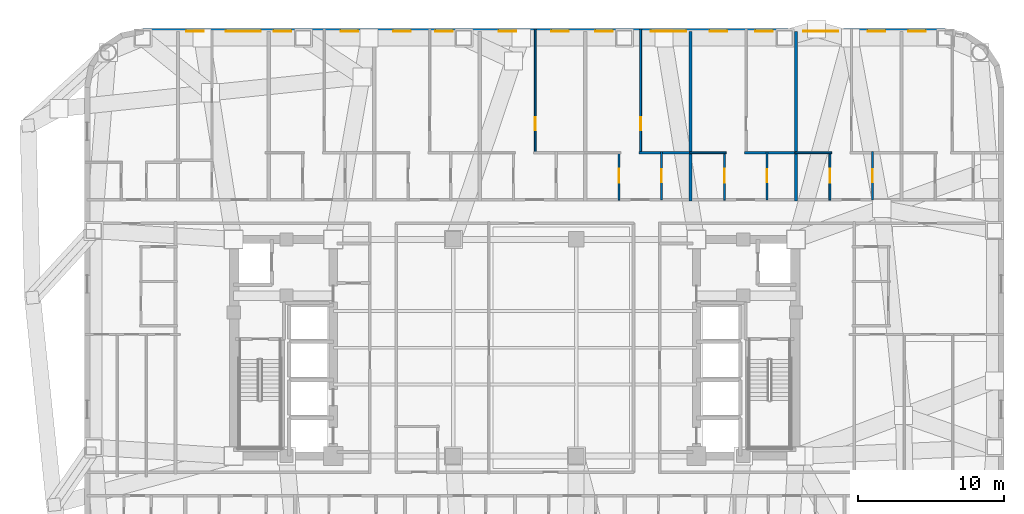
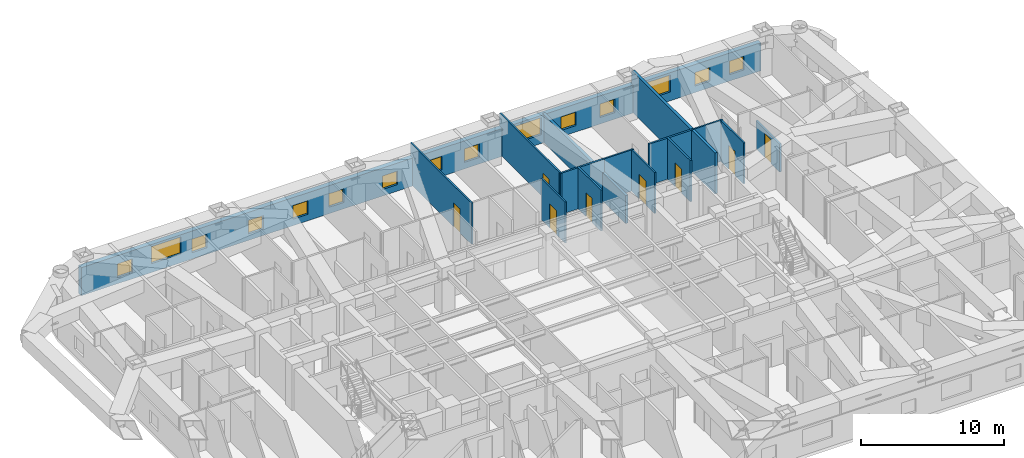
# One storey, part 10 of 14: 15 walls, 15 windows, 8 doors, 23 openings.
"""IFC4 building model written with IfcOpenShell, lengths in metres."""

from ifc_helpers import new_model, si_unit, direction, frame, frame_2d, origin, place, context, subcontext, project, spatial, rectangle, extrude, material, layer, layer_set, type_object, element, fill, save


model = new_model("IFC4")

# Units and contexts
model_context = context("Model", 3, precision=1e-05, world=origin(), true_north=direction((0.0, 1.0)))
body_context = subcontext(model_context, "Body", "Model", "MODEL_VIEW")
ifc_project = project(units=[si_unit("LENGTHUNIT", "METRE"), si_unit("AREAUNIT", "SQUARE_METRE"), si_unit("VOLUMEUNIT", "CUBIC_METRE"), si_unit("PLANEANGLEUNIT", "RADIAN"), si_unit("MASSUNIT", "GRAM", prefix="KILO")], contexts=[model_context])

# Site, building, storey
site_placement = place(None, origin())
site = spatial("IfcSite", under=ifc_project, at=site_placement, CompositionType="ELEMENT")
building_placement = place(site_placement, origin())
building = spatial("IfcBuilding", under=site, at=building_placement, Name="Voryun Gate Residences", CompositionType="ELEMENT")
storey_placement = place(building_placement, frame((0.0, 0.0, 136.5)))
storey = spatial("IfcBuildingStorey", under=building, at=storey_placement, Name="L33", CompositionType="ELEMENT", Elevation=136.5)

# Wall, openings, windows
ifc_material_1 = material(Name="Granite masonry", Category="masonry")
ifc_layer_1 = layer(ifc_material_1, 0.3798828125, Name="W_EXT_GRANITE_380")
ifc_layer_set_1 = layer_set([ifc_layer_1], Name="Granite masonry")
wall_type_1 = type_object("IfcWallType", Name="W_EXT_GRANITE_380", PredefinedType="ELEMENTEDWALL", material=ifc_layer_set_1)
wall_1_placement = place(storey_placement, frame((-25.38134765625, 21.610107421875, 0.0), z_axis=(0.0, 0.0, 1.0), x_axis=(1.0, 0.0, 0.0)))
wall_1 = element("IfcWall", 1, at=wall_1_placement, inside=storey, type_object=wall_type_1, Name="Exterior wall WEXT-L33-11", PredefinedType="ELEMENTEDWALL", context=body_context, shape_type="SweptSolid", body=[
    extrude(rectangle(XDim=54.7626953125, YDim=0.3798828125, at=frame_2d((27.38134765625, 0.0))), origin(), (0.0, 0.0, 1.0), 2.389892578125),
])
opening_1_placement = place(wall_1_placement, frame((5.645263671875, 0.0, 0.75)))
opening_1 = element("IfcOpeningElement", 2, at=opening_1_placement, cuts=wall_1, Name="Opening WN2", PredefinedType="OPENING", context=body_context, shape_type="SweptSolid", body=[
    extrude(rectangle(XDim=2.39990234375, YDim=1.449951171875, at=frame_2d((1.199951171875, 0.72509765625))), frame((0.0, 0.199951171875, 0.0), z_axis=(0.0, -1.0, 0.0), x_axis=(1.0, 0.0, 0.0)), (0.0, 0.0, 1.0), 0.39990234375),
])
opening_2_placement = place(wall_1_placement, frame((34.676513671875, 0.0, 0.75)))
opening_2 = element("IfcOpeningElement", 3, at=opening_2_placement, cuts=wall_1, Name="Opening WN2", PredefinedType="OPENING", context=body_context, shape_type="SweptSolid", body=[
    extrude(rectangle(XDim=2.39990234375, YDim=1.449951171875, at=frame_2d((1.199951171875, 0.72509765625))), frame((0.0, 0.199951171875, 0.0), z_axis=(0.0, -1.0, 0.0), x_axis=(1.0, 0.0, 0.0)), (0.0, 0.0, 1.0), 0.39990234375),
])
opening_3_placement = place(wall_1_placement, frame((45.0673828125, 0.0, 0.75)))
opening_3 = element("IfcOpeningElement", 4, at=opening_3_placement, cuts=wall_1, Name="Opening WN2", PredefinedType="OPENING", context=body_context, shape_type="SweptSolid", body=[
    extrude(rectangle(XDim=2.39990234375, YDim=1.449951171875, at=frame_2d((1.199951171875, 0.72509765625))), frame((0.0, 0.199951171875, 0.0), z_axis=(0.0, -1.0, 0.0), x_axis=(1.0, 0.0, 0.0)), (0.0, 0.0, 1.0), 0.39990234375),
])
opening_4_placement = place(wall_1_placement, frame((2.937744140625, 0.0, 0.550048828125)))
opening_4 = element("IfcOpeningElement", 5, at=opening_4_placement, cuts=wall_1, Name="Opening WN6", PredefinedType="OPENING", context=body_context, shape_type="SweptSolid", body=[
    extrude(rectangle(XDim=1.199951171875, YDim=1.14990234375, at=frame_2d((0.60009765625, 0.574951171875))), frame((0.0, 0.199951171875, 0.0), z_axis=(0.0, -1.0, 0.0), x_axis=(1.0, 0.0, 0.0)), (0.0, 0.0, 1.0), 0.39990234375),
])
opening_5_placement = place(wall_1_placement, frame((8.916259765625, 0.0, 0.550048828125)))
opening_5 = element("IfcOpeningElement", 6, at=opening_5_placement, cuts=wall_1, Name="Opening WN6", PredefinedType="OPENING", context=body_context, shape_type="SweptSolid", body=[
    extrude(rectangle(XDim=1.199951171875, YDim=1.14990234375, at=frame_2d((0.60009765625, 0.574951171875))), frame((0.0, 0.199951171875, 0.0), z_axis=(0.0, -1.0, 0.0), x_axis=(1.0, 0.0, 0.0)), (0.0, 0.0, 1.0), 0.39990234375),
])
opening_6_placement = place(wall_1_placement, frame((13.476318359375, 0.0, 0.550048828125)))
opening_6 = element("IfcOpeningElement", 7, at=opening_6_placement, cuts=wall_1, Name="Opening WN6", PredefinedType="OPENING", context=body_context, shape_type="SweptSolid", body=[
    extrude(rectangle(XDim=1.199951171875, YDim=1.14990234375, at=frame_2d((0.60009765625, 0.574951171875))), frame((0.0, 0.199951171875, 0.0), z_axis=(0.0, -1.0, 0.0), x_axis=(1.0, 0.0, 0.0)), (0.0, 0.0, 1.0), 0.39990234375),
])
opening_7_placement = place(wall_1_placement, frame((17.076416015625, 0.0, 0.550048828125)))
opening_7 = element("IfcOpeningElement", 8, at=opening_7_placement, cuts=wall_1, Name="Opening WN6", PredefinedType="OPENING", context=body_context, shape_type="SweptSolid", body=[
    extrude(rectangle(XDim=1.199951171875, YDim=1.14990234375, at=frame_2d((0.60009765625, 0.574951171875))), frame((0.0, 0.199951171875, 0.0), z_axis=(0.0, -1.0, 0.0), x_axis=(1.0, 0.0, 0.0)), (0.0, 0.0, 1.0), 0.39990234375),
])
opening_8_placement = place(wall_1_placement, frame((19.956298828125, 0.0, 0.550048828125)))
opening_8 = element("IfcOpeningElement", 9, at=opening_8_placement, cuts=wall_1, Name="Opening WN6", PredefinedType="OPENING", context=body_context, shape_type="SweptSolid", body=[
    extrude(rectangle(XDim=1.199951171875, YDim=1.14990234375, at=frame_2d((0.60009765625, 0.574951171875))), frame((0.0, 0.199951171875, 0.0), z_axis=(0.0, -1.0, 0.0), x_axis=(1.0, 0.0, 0.0)), (0.0, 0.0, 1.0), 0.39990234375),
])
opening_9_placement = place(wall_1_placement, frame((24.2763671875, 0.0, 0.550048828125)))
opening_9 = element("IfcOpeningElement", 10, at=opening_9_placement, cuts=wall_1, Name="Opening WN6", PredefinedType="OPENING", context=body_context, shape_type="SweptSolid", body=[
    extrude(rectangle(XDim=1.199951171875, YDim=1.14990234375, at=frame_2d((0.60009765625, 0.574951171875))), frame((0.0, 0.199951171875, 0.0), z_axis=(0.0, -1.0, 0.0), x_axis=(1.0, 0.0, 0.0)), (0.0, 0.0, 1.0), 0.39990234375),
])
opening_10_placement = place(wall_1_placement, frame((27.876220703125, 0.0, 0.550048828125)))
opening_10 = element("IfcOpeningElement", 11, at=opening_10_placement, cuts=wall_1, Name="Opening WN6", PredefinedType="OPENING", context=body_context, shape_type="SweptSolid", body=[
    extrude(rectangle(XDim=1.199951171875, YDim=1.14990234375, at=frame_2d((0.60009765625, 0.574951171875))), frame((0.0, 0.199951171875, 0.0), z_axis=(0.0, -1.0, 0.0), x_axis=(1.0, 0.0, 0.0)), (0.0, 0.0, 1.0), 0.39990234375),
])
opening_11_placement = place(wall_1_placement, frame((30.876220703125, 0.0, 0.550048828125)))
opening_11 = element("IfcOpeningElement", 12, at=opening_11_placement, cuts=wall_1, Name="Opening WN6", PredefinedType="OPENING", context=body_context, shape_type="SweptSolid", body=[
    extrude(rectangle(XDim=1.199951171875, YDim=1.14990234375, at=frame_2d((0.60009765625, 0.574951171875))), frame((0.0, 0.199951171875, 0.0), z_axis=(0.0, -1.0, 0.0), x_axis=(1.0, 0.0, 0.0)), (0.0, 0.0, 1.0), 0.39990234375),
])
opening_12_placement = place(wall_1_placement, frame((38.67626953125, 0.0, 0.550048828125)))
opening_12 = element("IfcOpeningElement", 13, at=opening_12_placement, cuts=wall_1, Name="Opening WN6", PredefinedType="OPENING", context=body_context, shape_type="SweptSolid", body=[
    extrude(rectangle(XDim=1.199951171875, YDim=1.14990234375, at=frame_2d((0.60009765625, 0.574951171875))), frame((0.0, 0.199951171875, 0.0), z_axis=(0.0, -1.0, 0.0), x_axis=(1.0, 0.0, 0.0)), (0.0, 0.0, 1.0), 0.39990234375),
])
opening_13_placement = place(wall_1_placement, frame((41.79638671875, 0.0, 0.550048828125)))
opening_13 = element("IfcOpeningElement", 14, at=opening_13_placement, cuts=wall_1, Name="Opening WN6", PredefinedType="OPENING", context=body_context, shape_type="SweptSolid", body=[
    extrude(rectangle(XDim=1.199951171875, YDim=1.14990234375, at=frame_2d((0.60009765625, 0.574951171875))), frame((0.0, 0.199951171875, 0.0), z_axis=(0.0, -1.0, 0.0), x_axis=(1.0, 0.0, 0.0)), (0.0, 0.0, 1.0), 0.39990234375),
])
opening_14_placement = place(wall_1_placement, frame((49.476318359375, 0.0, 0.550048828125)))
opening_14 = element("IfcOpeningElement", 15, at=opening_14_placement, cuts=wall_1, Name="Opening WN6", PredefinedType="OPENING", context=body_context, shape_type="SweptSolid", body=[
    extrude(rectangle(XDim=1.199951171875, YDim=1.14990234375, at=frame_2d((0.60009765625, 0.574951171875))), frame((0.0, 0.199951171875, 0.0), z_axis=(0.0, -1.0, 0.0), x_axis=(1.0, 0.0, 0.0)), (0.0, 0.0, 1.0), 0.39990234375),
])
opening_15_placement = place(wall_1_placement, frame((52.226806640625, 0.0, 0.550048828125)))
opening_15 = element("IfcOpeningElement", 16, at=opening_15_placement, cuts=wall_1, Name="Opening WN6", PredefinedType="OPENING", context=body_context, shape_type="SweptSolid", body=[
    extrude(rectangle(XDim=1.199951171875, YDim=1.14990234375, at=frame_2d((0.60009765625, 0.574951171875))), frame((0.0, 0.199951171875, 0.0), z_axis=(0.0, -1.0, 0.0), x_axis=(1.0, 0.0, 0.0)), (0.0, 0.0, 1.0), 0.39990234375),
])
ifc_material_2 = material(Name="Laminated low-E glass", Category="glass")
window_type_1 = type_object("IfcWindowType", Name="WN_POD_SLOT_1200", PartitioningType="SINGLE_PANEL", PredefinedType="WINDOW", material=ifc_material_2)
window_1_placement = place(opening_4_placement, origin())
window_1 = element("IfcWindow", 17, at=window_1_placement, inside=storey, type_object=window_type_1, Name="Window WN-L33-DWFIX-02", OverallHeight=1.14990234375, OverallWidth=1.199951171875, PartitioningType="SINGLE_PANEL", PredefinedType="WINDOW", context=body_context, shape_type="SweptSolid", body=[
    extrude(rectangle(XDim=1.199951171875, YDim=1.14990234375, at=frame_2d((0.60009765625, 0.574951171875))), frame((0.0, 0.030029296875, 0.0), z_axis=(0.0, -1.0, 0.0), x_axis=(1.0, 0.0, 0.0)), (0.0, 0.0, 1.0), 0.06005859375),
])
fill(opening_4, window_1)
window_2_placement = place(opening_5_placement, origin())
window_2 = element("IfcWindow", 18, at=window_2_placement, inside=storey, type_object=window_type_1, Name="Window WN-L33-DWFIX-03", OverallHeight=1.14990234375, OverallWidth=1.199951171875, PartitioningType="SINGLE_PANEL", PredefinedType="WINDOW", context=body_context, shape_type="SweptSolid", body=[
    extrude(rectangle(XDim=1.199951171875, YDim=1.14990234375, at=frame_2d((0.60009765625, 0.574951171875))), frame((0.0, 0.030029296875, 0.0), z_axis=(0.0, -1.0, 0.0), x_axis=(1.0, 0.0, 0.0)), (0.0, 0.0, 1.0), 0.06005859375),
])
fill(opening_5, window_2)
window_3_placement = place(opening_6_placement, origin())
window_3 = element("IfcWindow", 19, at=window_3_placement, inside=storey, type_object=window_type_1, Name="Window WN-L33-DWFIX-04", OverallHeight=1.14990234375, OverallWidth=1.199951171875, PartitioningType="SINGLE_PANEL", PredefinedType="WINDOW", context=body_context, shape_type="SweptSolid", body=[
    extrude(rectangle(XDim=1.199951171875, YDim=1.14990234375, at=frame_2d((0.60009765625, 0.574951171875))), frame((0.0, 0.030029296875, 0.0), z_axis=(0.0, -1.0, 0.0), x_axis=(1.0, 0.0, 0.0)), (0.0, 0.0, 1.0), 0.06005859375),
])
fill(opening_6, window_3)
window_4_placement = place(opening_7_placement, origin())
window_4 = element("IfcWindow", 20, at=window_4_placement, inside=storey, type_object=window_type_1, Name="Window WN-L33-DWFIX-05", OverallHeight=1.14990234375, OverallWidth=1.199951171875, PartitioningType="SINGLE_PANEL", PredefinedType="WINDOW", context=body_context, shape_type="SweptSolid", body=[
    extrude(rectangle(XDim=1.199951171875, YDim=1.14990234375, at=frame_2d((0.60009765625, 0.574951171875))), frame((0.0, 0.030029296875, 0.0), z_axis=(0.0, -1.0, 0.0), x_axis=(1.0, 0.0, 0.0)), (0.0, 0.0, 1.0), 0.06005859375),
])
fill(opening_7, window_4)
window_5_placement = place(opening_8_placement, origin())
window_5 = element("IfcWindow", 21, at=window_5_placement, inside=storey, type_object=window_type_1, Name="Window WN-L33-DWFIX-06", OverallHeight=1.14990234375, OverallWidth=1.199951171875, PartitioningType="SINGLE_PANEL", PredefinedType="WINDOW", context=body_context, shape_type="SweptSolid", body=[
    extrude(rectangle(XDim=1.199951171875, YDim=1.14990234375, at=frame_2d((0.60009765625, 0.574951171875))), frame((0.0, 0.030029296875, 0.0), z_axis=(0.0, -1.0, 0.0), x_axis=(1.0, 0.0, 0.0)), (0.0, 0.0, 1.0), 0.06005859375),
])
fill(opening_8, window_5)
window_6_placement = place(opening_9_placement, origin())
window_6 = element("IfcWindow", 22, at=window_6_placement, inside=storey, type_object=window_type_1, Name="Window WN-L33-DWFIX-07", OverallHeight=1.14990234375, OverallWidth=1.199951171875, PartitioningType="SINGLE_PANEL", PredefinedType="WINDOW", context=body_context, shape_type="SweptSolid", body=[
    extrude(rectangle(XDim=1.199951171875, YDim=1.14990234375, at=frame_2d((0.60009765625, 0.574951171875))), frame((0.0, 0.030029296875, 0.0), z_axis=(0.0, -1.0, 0.0), x_axis=(1.0, 0.0, 0.0)), (0.0, 0.0, 1.0), 0.06005859375),
])
fill(opening_9, window_6)
window_7_placement = place(opening_10_placement, origin())
window_7 = element("IfcWindow", 23, at=window_7_placement, inside=storey, type_object=window_type_1, Name="Window WN-L33-DWFIX-08", OverallHeight=1.14990234375, OverallWidth=1.199951171875, PartitioningType="SINGLE_PANEL", PredefinedType="WINDOW", context=body_context, shape_type="SweptSolid", body=[
    extrude(rectangle(XDim=1.199951171875, YDim=1.14990234375, at=frame_2d((0.60009765625, 0.574951171875))), frame((0.0, 0.030029296875, 0.0), z_axis=(0.0, -1.0, 0.0), x_axis=(1.0, 0.0, 0.0)), (0.0, 0.0, 1.0), 0.06005859375),
])
fill(opening_10, window_7)
window_8_placement = place(opening_11_placement, origin())
window_8 = element("IfcWindow", 24, at=window_8_placement, inside=storey, type_object=window_type_1, Name="Window WN-L33-DWFIX-09", OverallHeight=1.14990234375, OverallWidth=1.199951171875, PartitioningType="SINGLE_PANEL", PredefinedType="WINDOW", context=body_context, shape_type="SweptSolid", body=[
    extrude(rectangle(XDim=1.199951171875, YDim=1.14990234375, at=frame_2d((0.60009765625, 0.574951171875))), frame((0.0, 0.030029296875, 0.0), z_axis=(0.0, -1.0, 0.0), x_axis=(1.0, 0.0, 0.0)), (0.0, 0.0, 1.0), 0.06005859375),
])
fill(opening_11, window_8)
window_9_placement = place(opening_12_placement, origin())
window_9 = element("IfcWindow", 25, at=window_9_placement, inside=storey, type_object=window_type_1, Name="Window WN-L33-DWFIX-10", OverallHeight=1.14990234375, OverallWidth=1.199951171875, PartitioningType="SINGLE_PANEL", PredefinedType="WINDOW", context=body_context, shape_type="SweptSolid", body=[
    extrude(rectangle(XDim=1.199951171875, YDim=1.14990234375, at=frame_2d((0.60009765625, 0.574951171875))), frame((0.0, 0.030029296875, 0.0), z_axis=(0.0, -1.0, 0.0), x_axis=(1.0, 0.0, 0.0)), (0.0, 0.0, 1.0), 0.06005859375),
])
fill(opening_12, window_9)
window_10_placement = place(opening_13_placement, origin())
window_10 = element("IfcWindow", 26, at=window_10_placement, inside=storey, type_object=window_type_1, Name="Window WN-L33-DWFIX-11", OverallHeight=1.14990234375, OverallWidth=1.199951171875, PartitioningType="SINGLE_PANEL", PredefinedType="WINDOW", context=body_context, shape_type="SweptSolid", body=[
    extrude(rectangle(XDim=1.199951171875, YDim=1.14990234375, at=frame_2d((0.60009765625, 0.574951171875))), frame((0.0, 0.030029296875, 0.0), z_axis=(0.0, -1.0, 0.0), x_axis=(1.0, 0.0, 0.0)), (0.0, 0.0, 1.0), 0.06005859375),
])
fill(opening_13, window_10)
window_11_placement = place(opening_14_placement, origin())
window_11 = element("IfcWindow", 27, at=window_11_placement, inside=storey, type_object=window_type_1, Name="Window WN-L33-DWFIX-12", OverallHeight=1.14990234375, OverallWidth=1.199951171875, PartitioningType="SINGLE_PANEL", PredefinedType="WINDOW", context=body_context, shape_type="SweptSolid", body=[
    extrude(rectangle(XDim=1.199951171875, YDim=1.14990234375, at=frame_2d((0.60009765625, 0.574951171875))), frame((0.0, 0.030029296875, 0.0), z_axis=(0.0, -1.0, 0.0), x_axis=(1.0, 0.0, 0.0)), (0.0, 0.0, 1.0), 0.06005859375),
])
fill(opening_14, window_11)
window_12_placement = place(opening_15_placement, origin())
window_12 = element("IfcWindow", 28, at=window_12_placement, inside=storey, type_object=window_type_1, Name="Window WN-L33-DWFIX-13", OverallHeight=1.14990234375, OverallWidth=1.199951171875, PartitioningType="SINGLE_PANEL", PredefinedType="WINDOW", context=body_context, shape_type="SweptSolid", body=[
    extrude(rectangle(XDim=1.199951171875, YDim=1.14990234375, at=frame_2d((0.60009765625, 0.574951171875))), frame((0.0, 0.030029296875, 0.0), z_axis=(0.0, -1.0, 0.0), x_axis=(1.0, 0.0, 0.0)), (0.0, 0.0, 1.0), 0.06005859375),
])
fill(opening_15, window_12)
ifc_material_3 = material(Name="Laminated low-E glass", Category="glass")
window_type_2 = type_object("IfcWindowType", Name="WN_RES_WIDE_2400", PartitioningType="SINGLE_PANEL", PredefinedType="WINDOW", material=ifc_material_3)
window_13_placement = place(opening_1_placement, origin())
window_13 = element("IfcWindow", 29, at=window_13_placement, inside=storey, type_object=window_type_2, Name="Window WN-WEXT-L33-11-01", OverallHeight=1.449951171875, OverallWidth=2.39990234375, PartitioningType="SINGLE_PANEL", PredefinedType="WINDOW", context=body_context, shape_type="SweptSolid", body=[
    extrude(rectangle(XDim=2.39990234375, YDim=1.449951171875, at=frame_2d((1.199951171875, 0.72509765625))), frame((0.0, 0.030029296875, 0.0), z_axis=(0.0, -1.0, 0.0), x_axis=(1.0, 0.0, 0.0)), (0.0, 0.0, 1.0), 0.06005859375),
])
fill(opening_1, window_13)
window_14_placement = place(opening_2_placement, origin())
window_14 = element("IfcWindow", 30, at=window_14_placement, inside=storey, type_object=window_type_2, Name="Window WN-WEXT-L33-11-03", OverallHeight=1.449951171875, OverallWidth=2.39990234375, PartitioningType="SINGLE_PANEL", PredefinedType="WINDOW", context=body_context, shape_type="SweptSolid", body=[
    extrude(rectangle(XDim=2.39990234375, YDim=1.449951171875, at=frame_2d((1.199951171875, 0.72509765625))), frame((0.0, 0.030029296875, 0.0), z_axis=(0.0, -1.0, 0.0), x_axis=(1.0, 0.0, 0.0)), (0.0, 0.0, 1.0), 0.06005859375),
])
fill(opening_2, window_14)
window_15_placement = place(opening_3_placement, origin())
window_15 = element("IfcWindow", 31, at=window_15_placement, inside=storey, type_object=window_type_2, Name="Window WN-WEXT-L33-11-04", OverallHeight=1.449951171875, OverallWidth=2.39990234375, PartitioningType="SINGLE_PANEL", PredefinedType="WINDOW", context=body_context, shape_type="SweptSolid", body=[
    extrude(rectangle(XDim=2.39990234375, YDim=1.449951171875, at=frame_2d((1.199951171875, 0.72509765625))), frame((0.0, 0.030029296875, 0.0), z_axis=(0.0, -1.0, 0.0), x_axis=(1.0, 0.0, 0.0)), (0.0, 0.0, 1.0), 0.06005859375),
])
fill(opening_3, window_15)

# Walls
ifc_material_4 = material(Name="Concrete C40/50", Category="concrete")
ifc_layer_2 = layer(ifc_material_4, 0.219970703125, Name="W_PARTY_ACOUSTIC_220")
ifc_layer_set_2 = layer_set([ifc_layer_2], Name="Concrete C40/50")
wall_type_2 = type_object("IfcWallType", Name="W_PARTY_ACOUSTIC_220", PredefinedType="PARTITIONING", material=ifc_layer_set_2)
wall_2_placement = place(storey_placement, frame((12.0, 10.02001953125, 0.0), z_axis=(0.0, 0.0, 1.0), x_axis=(0.0, 1.0, 0.0)))
element("IfcWall", 32, at=wall_2_placement, inside=storey, type_object=wall_type_2, Name="Partition wall WP-L33-NPTY-6", PredefinedType="PARTITIONING", context=body_context, shape_type="SweptSolid", body=[
    extrude(rectangle(XDim=11.590087890625, YDim=0.219970703125, at=frame_2d((5.794921875, 0.0))), origin(), (0.0, 0.0, 1.0), 2.389892578125),
])
wall_3_placement = place(storey_placement, frame((19.199951171875, 10.02001953125, 0.0), z_axis=(0.0, 0.0, 1.0), x_axis=(0.0, 1.0, 0.0)))
element("IfcWall", 33, at=wall_3_placement, inside=storey, type_object=wall_type_2, Name="Partition wall WP-L33-NPTY-7", PredefinedType="PARTITIONING", context=body_context, shape_type="SweptSolid", body=[
    extrude(rectangle(XDim=11.590087890625, YDim=0.219970703125, at=frame_2d((5.794921875, 0.0))), origin(), (0.0, 0.0, 1.0), 3.5),
])

# Wall, opening, door
ifc_material_5 = material(Name="Gypsum acoustic partition")
ifc_layer_3 = layer(ifc_material_5, 0.125, Name="W_UNIT_PART_125")
ifc_layer_set_3 = layer_set([ifc_layer_3], Name="Gypsum acoustic partition")
wall_type_3 = type_object("IfcWallType", Name="W_UNIT_PART_125", PredefinedType="PARTITIONING", material=ifc_layer_set_3)
wall_4_placement = place(storey_placement, frame((1.389892578125, 13.239990234375, 0.0), z_axis=(0.0, 0.0, 1.0), x_axis=(0.0, 1.0, 0.0)))
wall_4 = element("IfcWall", 34, at=wall_4_placement, inside=storey, type_object=wall_type_3, Name="Partition wall WP-L33-N5-OVR", PredefinedType="PARTITIONING", context=body_context, shape_type="SweptSolid", body=[
    extrude(rectangle(XDim=8.52001953125, YDim=0.125, at=frame_2d((4.260009765625, 0.0))), origin(), (0.0, 0.0, 1.0), 3.5),
])
opening_16_placement = place(wall_4_placement, frame((1.5947265625, 0.0, 0.0)))
opening_16 = element("IfcOpeningElement", 35, at=opening_16_placement, cuts=wall_4, Name="Opening D-INT-2", PredefinedType="OPENING", context=body_context, shape_type="SweptSolid", body=[
    extrude(rectangle(XDim=0.89990234375, YDim=2.050048828125, at=frame_2d((0.449951171875, 1.02490234375))), frame((0.0, 0.072509765625, 0.0), z_axis=(0.0, -1.0, 0.0), x_axis=(1.0, 0.0, 0.0)), (0.0, 0.0, 1.0), 0.14501953125),
])
ifc_material_6 = material(Name="Architectural oak veneer")
door_type_1 = type_object("IfcDoorType", Name="DR_INT_BATH_900", OperationType="NOTDEFINED", PredefinedType="DOOR", material=ifc_material_6)
door_1_placement = place(opening_16_placement, origin())
door_1 = element("IfcDoor", 36, at=door_1_placement, inside=storey, type_object=door_type_1, Name="Door DR-L33-N5-DMB", OperationType="SINGLE_SWING_RIGHT", OverallHeight=2.050048828125, OverallWidth=0.89990234375, PredefinedType="DOOR", context=body_context, shape_type="SweptSolid", body=[
    extrude(rectangle(XDim=0.89990234375, YDim=2.050048828125, at=frame_2d((0.449951171875, 1.02490234375))), frame((0.0, 0.02490234375, 0.0), z_axis=(0.0, -1.0, 0.0), x_axis=(1.0, 0.0, 0.0)), (0.0, 0.0, 1.0), 0.050048828125),
])
fill(opening_16, door_1)

wall_5_placement = place(storey_placement, frame((8.590087890625, 13.239990234375, 0.0), z_axis=(0.0, 0.0, 1.0), x_axis=(0.0, 1.0, 0.0)))
wall_5 = element("IfcWall", 37, at=wall_5_placement, inside=storey, type_object=wall_type_3, Name="Partition wall WP-L33-N6-OVR", PredefinedType="PARTITIONING", context=body_context, shape_type="SweptSolid", body=[
    extrude(rectangle(XDim=8.52001953125, YDim=0.125, at=frame_2d((4.260009765625, 0.0))), origin(), (0.0, 0.0, 1.0), 3.5),
])
opening_17_placement = place(wall_5_placement, frame((1.5947265625, 0.0, 0.0)))
opening_17 = element("IfcOpeningElement", 38, at=opening_17_placement, cuts=wall_5, Name="Opening D-INT-2", PredefinedType="OPENING", context=body_context, shape_type="SweptSolid", body=[
    extrude(rectangle(XDim=0.89990234375, YDim=2.050048828125, at=frame_2d((0.449951171875, 1.02490234375))), frame((0.0, 0.072509765625, 0.0), z_axis=(0.0, -1.0, 0.0), x_axis=(1.0, 0.0, 0.0)), (0.0, 0.0, 1.0), 0.14501953125),
])
door_2_placement = place(opening_17_placement, origin())
door_2 = element("IfcDoor", 39, at=door_2_placement, inside=storey, type_object=door_type_1, Name="Door DR-L33-N6-DMB", OperationType="SINGLE_SWING_RIGHT", OverallHeight=2.050048828125, OverallWidth=0.89990234375, PredefinedType="DOOR", context=body_context, shape_type="SweptSolid", body=[
    extrude(rectangle(XDim=0.89990234375, YDim=2.050048828125, at=frame_2d((0.449951171875, 1.02490234375))), frame((0.0, 0.02490234375, 0.0), z_axis=(0.0, -1.0, 0.0), x_axis=(1.0, 0.0, 0.0)), (0.0, 0.0, 1.0), 0.050048828125),
])
fill(opening_17, door_2)

wall_6_placement = place(storey_placement, frame((7.110107421875, 10.080078125, 0.0), z_axis=(0.0, 0.0, 1.0), x_axis=(0.0, 1.0, 0.0)))
wall_6 = element("IfcWall", 40, at=wall_6_placement, inside=storey, type_object=wall_type_3, Name="Partition wall WP-L33-N6-IVK", PredefinedType="PARTITIONING", context=body_context, shape_type="SweptSolid", body=[
    extrude(rectangle(XDim=3.31982421875, YDim=0.125, at=frame_2d((1.659912109375, 0.0))), origin(), (0.0, 0.0, 1.0), 3.5),
])
opening_18_placement = place(wall_6_placement, frame((1.18505859375, 0.0, 0.0)))
opening_18 = element("IfcOpeningElement", 41, at=opening_18_placement, cuts=wall_6, Name="Opening D-INT-1", PredefinedType="OPENING", context=body_context, shape_type="SweptSolid", body=[
    extrude(rectangle(XDim=0.949951171875, YDim=2.050048828125, at=frame_2d((0.47509765625, 1.02490234375))), frame((0.0, 0.072509765625, 0.0), z_axis=(0.0, -1.0, 0.0), x_axis=(1.0, 0.0, 0.0)), (0.0, 0.0, 1.0), 0.14501953125),
])
ifc_material_7 = material(Name="Architectural oak veneer")
door_type_2 = type_object("IfcDoorType", Name="DR_INT_ROOM_950", OperationType="NOTDEFINED", PredefinedType="DOOR", material=ifc_material_7)
door_3_placement = place(opening_18_placement, origin())
door_3 = element("IfcDoor", 42, at=door_3_placement, inside=storey, type_object=door_type_2, Name="Door DR-L33-N6-DK", OperationType="SINGLE_SWING_LEFT", OverallHeight=2.050048828125, OverallWidth=0.949951171875, PredefinedType="DOOR", context=body_context, shape_type="SweptSolid", body=[
    extrude(rectangle(XDim=0.949951171875, YDim=2.050048828125, at=frame_2d((0.47509765625, 1.02490234375))), frame((0.0, 0.02490234375, 0.0), z_axis=(0.0, -1.0, 0.0), x_axis=(1.0, 0.0, 0.0)), (0.0, 0.0, 1.0), 0.050048828125),
])
fill(opening_18, door_3)

wall_7_placement = place(storey_placement, frame((14.31005859375, 10.080078125, 0.0), z_axis=(0.0, 0.0, 1.0), x_axis=(0.0, 1.0, 0.0)))
wall_7 = element("IfcWall", 43, at=wall_7_placement, inside=storey, type_object=wall_type_3, Name="Partition wall WP-L33-N7-IVK", PredefinedType="PARTITIONING", context=body_context, shape_type="SweptSolid", body=[
    extrude(rectangle(XDim=3.31982421875, YDim=0.125, at=frame_2d((1.659912109375, 0.0))), origin(), (0.0, 0.0, 1.0), 3.5),
])
opening_19_placement = place(wall_7_placement, frame((1.18505859375, 0.0, 0.0)))
opening_19 = element("IfcOpeningElement", 44, at=opening_19_placement, cuts=wall_7, Name="Opening D-INT-1", PredefinedType="OPENING", context=body_context, shape_type="SweptSolid", body=[
    extrude(rectangle(XDim=0.949951171875, YDim=2.050048828125, at=frame_2d((0.47509765625, 1.02490234375))), frame((0.0, 0.072509765625, 0.0), z_axis=(0.0, -1.0, 0.0), x_axis=(1.0, 0.0, 0.0)), (0.0, 0.0, 1.0), 0.14501953125),
])
door_4_placement = place(opening_19_placement, origin())
door_4 = element("IfcDoor", 45, at=door_4_placement, inside=storey, type_object=door_type_2, Name="Door DR-L33-N7-DK", OperationType="SINGLE_SWING_LEFT", OverallHeight=2.050048828125, OverallWidth=0.949951171875, PredefinedType="DOOR", context=body_context, shape_type="SweptSolid", body=[
    extrude(rectangle(XDim=0.949951171875, YDim=2.050048828125, at=frame_2d((0.47509765625, 1.02490234375))), frame((0.0, 0.02490234375, 0.0), z_axis=(0.0, -1.0, 0.0), x_axis=(1.0, 0.0, 0.0)), (0.0, 0.0, 1.0), 0.050048828125),
])
fill(opening_19, door_4)

# Wall
wall_8_placement = place(storey_placement, frame((11.925048828125, 13.320068359375, 0.0), z_axis=(0.0, 0.0, 1.0), x_axis=(1.0, 0.0, 0.0)))
element("IfcWall", 46, at=wall_8_placement, inside=storey, type_object=wall_type_3, Name="Partition wall WP-L33-N7-HZK", PredefinedType="PARTITIONING", context=body_context, shape_type="SweptSolid", body=[
    extrude(rectangle(XDim=2.5048828125, YDim=0.125, at=frame_2d((1.25244140625, 0.0))), origin(), (0.0, 0.0, 1.0), 3.5),
])

# Wall, opening, door
wall_9_placement = place(storey_placement, frame((21.510009765625, 10.080078125, 0.0), z_axis=(0.0, 0.0, 1.0), x_axis=(0.0, 1.0, 0.0)))
wall_9 = element("IfcWall", 47, at=wall_9_placement, inside=storey, type_object=wall_type_3, Name="Partition wall WP-L33-N8-IVK", PredefinedType="PARTITIONING", context=body_context, shape_type="SweptSolid", body=[
    extrude(rectangle(XDim=3.31982421875, YDim=0.125, at=frame_2d((1.659912109375, 0.0))), origin(), (0.0, 0.0, 1.0), 3.5),
])
opening_20_placement = place(wall_9_placement, frame((1.18505859375, 0.0, 0.0)))
opening_20 = element("IfcOpeningElement", 48, at=opening_20_placement, cuts=wall_9, Name="Opening D-INT-1", PredefinedType="OPENING", context=body_context, shape_type="SweptSolid", body=[
    extrude(rectangle(XDim=0.949951171875, YDim=2.050048828125, at=frame_2d((0.47509765625, 1.02490234375))), frame((0.0, 0.072509765625, 0.0), z_axis=(0.0, -1.0, 0.0), x_axis=(1.0, 0.0, 0.0)), (0.0, 0.0, 1.0), 0.14501953125),
])
door_5_placement = place(opening_20_placement, origin())
door_5 = element("IfcDoor", 49, at=door_5_placement, inside=storey, type_object=door_type_2, Name="Door DR-L33-N8-DK", OperationType="SINGLE_SWING_LEFT", OverallHeight=2.050048828125, OverallWidth=0.949951171875, PredefinedType="DOOR", context=body_context, shape_type="SweptSolid", body=[
    extrude(rectangle(XDim=0.949951171875, YDim=2.050048828125, at=frame_2d((0.47509765625, 1.02490234375))), frame((0.0, 0.02490234375, 0.0), z_axis=(0.0, -1.0, 0.0), x_axis=(1.0, 0.0, 0.0)), (0.0, 0.0, 1.0), 0.050048828125),
])
fill(opening_20, door_5)

# Walls
wall_10_placement = place(storey_placement, frame((19.125, 13.320068359375, 0.0), z_axis=(0.0, 0.0, 1.0), x_axis=(1.0, 0.0, 0.0)))
element("IfcWall", 50, at=wall_10_placement, inside=storey, type_object=wall_type_3, Name="Partition wall WP-L33-N8-HZK", PredefinedType="PARTITIONING", context=body_context, shape_type="SweptSolid", body=[
    extrude(rectangle(XDim=2.5048828125, YDim=0.125, at=frame_2d((1.25244140625, 0.0))), origin(), (0.0, 0.0, 1.0), 3.5),
])
ifc_material_8 = material(Name="Gypsum moisture-resistant partition")
ifc_layer_4 = layer(ifc_material_8, 0.14990234375, Name="W_WET_PLUMB_150")
ifc_layer_set_4 = layer_set([ifc_layer_4], Name="Gypsum moisture-resistant partition")
wall_type_4 = type_object("IfcWallType", Name="W_WET_PLUMB_150", PredefinedType="PLUMBINGWALL", material=ifc_layer_set_4)
wall_11_placement = place(storey_placement, frame((8.469970703125, 13.320068359375, 0.0), z_axis=(0.0, 0.0, 1.0), x_axis=(1.0, 0.0, 0.0)))
element("IfcWall", 51, at=wall_11_placement, inside=storey, type_object=wall_type_4, Name="Partition wall WP-L33-N6-HZB", PredefinedType="PLUMBINGWALL", context=body_context, shape_type="SweptSolid", body=[
    extrude(rectangle(XDim=3.60498046875, YDim=0.14990234375, at=frame_2d((1.802490234375, 0.0))), origin(), (0.0, 0.0, 1.0), 3.5),
])

# Wall, opening, door
wall_12_placement = place(storey_placement, frame((10.02001953125, 10.080078125, 0.0), z_axis=(0.0, 0.0, 1.0), x_axis=(0.0, 1.0, 0.0)))
wall_12 = element("IfcWall", 52, at=wall_12_placement, inside=storey, type_object=wall_type_4, Name="Partition wall WP-L33-N6-IVB", PredefinedType="PLUMBINGWALL", context=body_context, shape_type="SweptSolid", body=[
    extrude(rectangle(XDim=3.31982421875, YDim=0.14990234375, at=frame_2d((1.659912109375, 0.0))), origin(), (0.0, 0.0, 1.0), 3.5),
])
opening_21_placement = place(wall_12_placement, frame((1.2099609375, 0.0, 0.0)))
opening_21 = element("IfcOpeningElement", 53, at=opening_21_placement, cuts=wall_12, Name="Opening D-INT-2", PredefinedType="OPENING", context=body_context, shape_type="SweptSolid", body=[
    extrude(rectangle(XDim=0.89990234375, YDim=2.050048828125, at=frame_2d((0.449951171875, 1.02490234375))), frame((0.0, 0.0849609375, 0.0), z_axis=(0.0, -1.0, 0.0), x_axis=(1.0, 0.0, 0.0)), (0.0, 0.0, 1.0), 0.169921875),
])
door_6_placement = place(opening_21_placement, origin())
door_6 = element("IfcDoor", 54, at=door_6_placement, inside=storey, type_object=door_type_1, Name="Door DR-L33-N6-DB", OperationType="SINGLE_SWING_RIGHT", OverallHeight=2.050048828125, OverallWidth=0.89990234375, PredefinedType="DOOR", context=body_context, shape_type="SweptSolid", body=[
    extrude(rectangle(XDim=0.89990234375, YDim=2.050048828125, at=frame_2d((0.449951171875, 1.02490234375))), frame((0.0, 0.02490234375, 0.0), z_axis=(0.0, -1.0, 0.0), x_axis=(1.0, 0.0, 0.0)), (0.0, 0.0, 1.0), 0.050048828125),
])
fill(opening_21, door_6)

# Wall
wall_13_placement = place(storey_placement, frame((15.669921875, 13.320068359375, 0.0), z_axis=(0.0, 0.0, 1.0), x_axis=(1.0, 0.0, 0.0)))
element("IfcWall", 55, at=wall_13_placement, inside=storey, type_object=wall_type_4, Name="Partition wall WP-L33-N7-HZB", PredefinedType="PLUMBINGWALL", context=body_context, shape_type="SweptSolid", body=[
    extrude(rectangle(XDim=3.60498046875, YDim=0.14990234375, at=frame_2d((1.802490234375, 0.0))), origin(), (0.0, 0.0, 1.0), 3.5),
])

# Wall, opening, door
wall_14_placement = place(storey_placement, frame((17.219970703125, 10.080078125, 0.0), z_axis=(0.0, 0.0, 1.0), x_axis=(0.0, 1.0, 0.0)))
wall_14 = element("IfcWall", 56, at=wall_14_placement, inside=storey, type_object=wall_type_4, Name="Partition wall WP-L33-N7-IVB", PredefinedType="PLUMBINGWALL", context=body_context, shape_type="SweptSolid", body=[
    extrude(rectangle(XDim=3.31982421875, YDim=0.14990234375, at=frame_2d((1.659912109375, 0.0))), origin(), (0.0, 0.0, 1.0), 3.5),
])
opening_22_placement = place(wall_14_placement, frame((1.2099609375, 0.0, 0.0)))
opening_22 = element("IfcOpeningElement", 57, at=opening_22_placement, cuts=wall_14, Name="Opening D-INT-2", PredefinedType="OPENING", context=body_context, shape_type="SweptSolid", body=[
    extrude(rectangle(XDim=0.89990234375, YDim=2.050048828125, at=frame_2d((0.449951171875, 1.02490234375))), frame((0.0, 0.0849609375, 0.0), z_axis=(0.0, -1.0, 0.0), x_axis=(1.0, 0.0, 0.0)), (0.0, 0.0, 1.0), 0.169921875),
])
door_7_placement = place(opening_22_placement, origin())
door_7 = element("IfcDoor", 58, at=door_7_placement, inside=storey, type_object=door_type_1, Name="Door DR-L33-N7-DB", OperationType="SINGLE_SWING_RIGHT", OverallHeight=2.050048828125, OverallWidth=0.89990234375, PredefinedType="DOOR", context=body_context, shape_type="SweptSolid", body=[
    extrude(rectangle(XDim=0.89990234375, YDim=2.050048828125, at=frame_2d((0.449951171875, 1.02490234375))), frame((0.0, 0.02490234375, 0.0), z_axis=(0.0, -1.0, 0.0), x_axis=(1.0, 0.0, 0.0)), (0.0, 0.0, 1.0), 0.050048828125),
])
fill(opening_22, door_7)

wall_15_placement = place(storey_placement, frame((24.419921875, 10.080078125, 0.0), z_axis=(0.0, 0.0, 1.0), x_axis=(0.0, 1.0, 0.0)))
wall_15 = element("IfcWall", 59, at=wall_15_placement, inside=storey, type_object=wall_type_4, Name="Partition wall WP-L33-N8-IVB", PredefinedType="PLUMBINGWALL", context=body_context, shape_type="SweptSolid", body=[
    extrude(rectangle(XDim=3.31982421875, YDim=0.14990234375, at=frame_2d((1.659912109375, 0.0))), origin(), (0.0, 0.0, 1.0), 2.389892578125),
])
opening_23_placement = place(wall_15_placement, frame((1.2099609375, 0.0, 0.0)))
opening_23 = element("IfcOpeningElement", 60, at=opening_23_placement, cuts=wall_15, Name="Opening D-INT-2", PredefinedType="OPENING", context=body_context, shape_type="SweptSolid", body=[
    extrude(rectangle(XDim=0.89990234375, YDim=2.050048828125, at=frame_2d((0.449951171875, 1.02490234375))), frame((0.0, 0.0849609375, 0.0), z_axis=(0.0, -1.0, 0.0), x_axis=(1.0, 0.0, 0.0)), (0.0, 0.0, 1.0), 0.169921875),
])
door_8_placement = place(opening_23_placement, origin())
door_8 = element("IfcDoor", 61, at=door_8_placement, inside=storey, type_object=door_type_1, Name="Door DR-L33-N8-DB", OperationType="SINGLE_SWING_RIGHT", OverallHeight=2.050048828125, OverallWidth=0.89990234375, PredefinedType="DOOR", context=body_context, shape_type="SweptSolid", body=[
    extrude(rectangle(XDim=0.89990234375, YDim=2.050048828125, at=frame_2d((0.449951171875, 1.02490234375))), frame((0.0, 0.02490234375, 0.0), z_axis=(0.0, -1.0, 0.0), x_axis=(1.0, 0.0, 0.0)), (0.0, 0.0, 1.0), 0.050048828125),
])
fill(opening_23, door_8)

save(model, "model.ifc")
